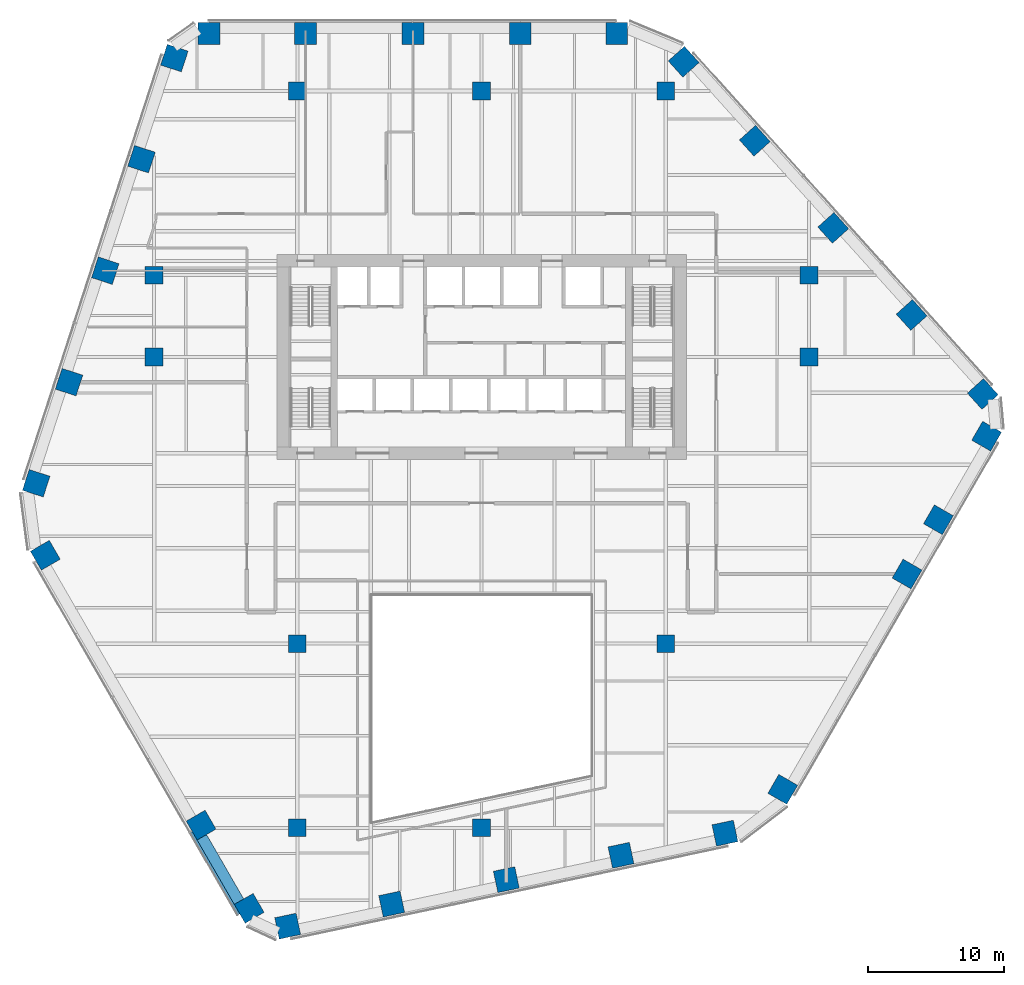
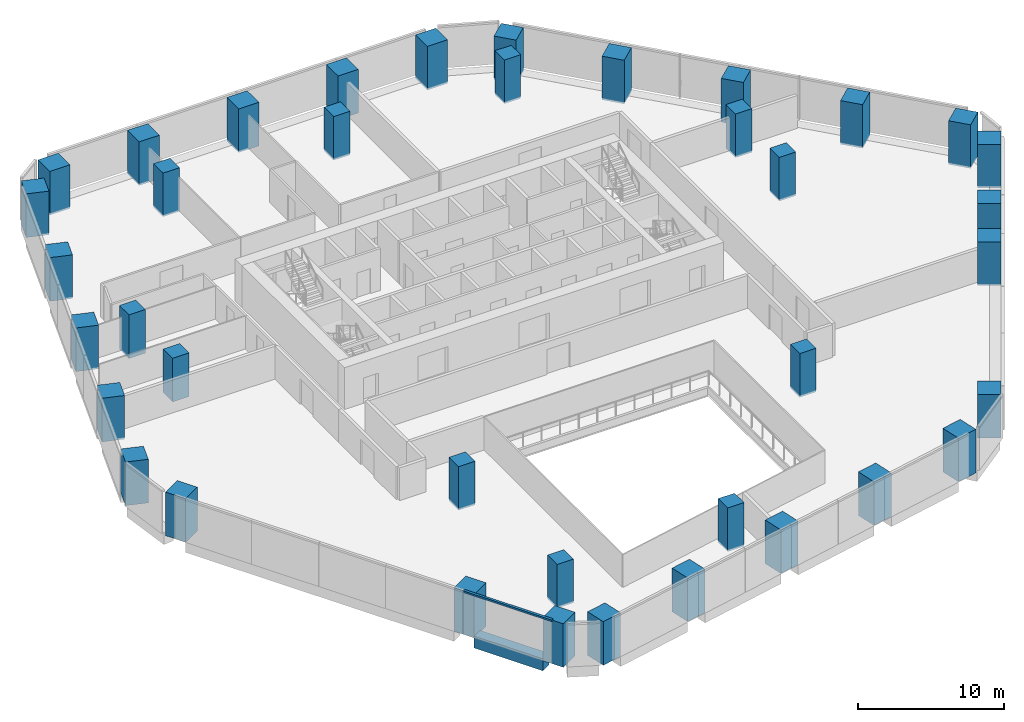
# One storey, part 1 of 19: 38 columns, 1 beam, 1 member, 1 element without a shape of its own.
"""IFC4 building model written with IfcOpenShell, lengths in metres."""

from ifc_helpers import new_model, si_unit, direction, frame, origin, origin_2d, place, context, subcontext, project, spatial, rectangle, extrude, material, layer, layer_set, material_profile, profile_set, type_object, element, aggregate, save


model = new_model("IFC4")

# Units and contexts
model_context = context("Model", 3, precision=1e-05, world=origin(), true_north=direction((0.0, 1.0)))
body_context = subcontext(model_context, "Body", "Model", "MODEL_VIEW")
ifc_project = project(units=[si_unit("LENGTHUNIT", "METRE"), si_unit("AREAUNIT", "SQUARE_METRE"), si_unit("VOLUMEUNIT", "CUBIC_METRE"), si_unit("PLANEANGLEUNIT", "RADIAN"), si_unit("MASSUNIT", "GRAM", prefix="KILO")], contexts=[model_context])

# Site, building, storey
site_placement = place(None, origin())
site = spatial("IfcSite", under=ifc_project, at=site_placement, CompositionType="ELEMENT")
building_placement = place(site_placement, origin())
building = spatial("IfcBuilding", under=site, at=building_placement, Name="Isthmus Gate Tower", CompositionType="ELEMENT")
storey_placement = place(building_placement, frame((0.0, 0.0, 91.60009765625)))
storey = spatial("IfcBuildingStorey", under=building, at=storey_placement, Name="L21", CompositionType="ELEMENT", Elevation=91.60009765625)

# Columns
ifc_material_1 = material(Name="Concrete f'c 70 MPa", Category="concrete")
ifc_material_profile_1 = material_profile(ifc_material_1, rectangle(XDim=1.300048828125, YDim=1.300048828125, at=origin_2d()), Name="RC 1300X1300")
ifc_profile_set_1 = profile_set([ifc_material_profile_1], Name="Concrete f'c 70 MPa")
column_type_1 = type_object("IfcColumnType", Name="RC INTERIOR COLUMN 1300 X 1300", PredefinedType="COLUMN", material=ifc_profile_set_1)
for number, where, z_axis, x_axis, name in (
    (1, (-24.0, 7.5, -0.150146484375), (0.0, 0.0, 1.0), (1.0, 0.0, 0.0), "str-icol-L21-ICA3"),
    (2, (-24.0, 13.5, -0.150146484375), (0.0, 0.0, 1.0), (1.0, 0.0, 0.0), "str-icol-L21-ICA4"),
    (3, (-13.5, -27.0, -0.150146484375), (0.0, 0.0, 1.0), (1.0, 0.0, 0.0), "str-icol-L21-ICB1"),
    (4, (-13.5, -13.5, -0.150146484375), (0.0, 0.0, 1.0), (1.0, 0.0, 0.0), "str-icol-L21-ICB2"),
    (5, (-13.5, 27.0, -0.150146484375), (0.0, 0.0, 1.0), (1.0, 0.0, 0.0), "str-icol-L21-ICB5"),
    (6, (0.0, -27.0, -0.150146484375), (0.0, 0.0, 1.0), (1.0, 0.0, 0.0), "str-icol-L21-ICC1"),
    (7, (0.0, 27.0, -0.150146484375), (0.0, 0.0, 1.0), (1.0, 0.0, 0.0), "str-icol-L21-ICC5"),
    (8, (13.5, -13.5, -0.150146484375), (0.0, 0.0, 1.0), (1.0, 0.0, 0.0), "str-icol-L21-ICD2"),
    (9, (13.5, 27.0, -0.150146484375), (0.0, 0.0, 1.0), (1.0, 0.0, 0.0), "str-icol-L21-ICD5"),
    (10, (24.0, 7.5, -0.150146484375), (0.0, 0.0, 1.0), (1.0, 0.0, 0.0), "str-icol-L21-ICE3"),
    (11, (24.0, 13.5, -0.150146484375), (0.0, 0.0, 1.0), (1.0, 0.0, 0.0), "str-icol-L21-ICE4"),
):
    element("IfcColumn", number, at=place(storey_placement, frame(where, z_axis=z_axis, x_axis=x_axis)), inside=storey, type_object=column_type_1, Name=name, PredefinedType="COLUMN", context=body_context, shape_type="SweptSolid", body=[
        extrude(rectangle(XDim=1.300048828125, YDim=1.300048828125, at=origin_2d()), origin(), (0.0, 0.0, 1.0), 3.650146484375),
    ])
ifc_material_2 = material(Name="Concrete f'c 70 MPa", Category="concrete")
ifc_material_profile_2 = material_profile(ifc_material_2, rectangle(XDim=1.60009765625, YDim=1.60009765625, at=origin_2d()), Name="RC 1600X1600")
ifc_profile_set_2 = profile_set([ifc_material_profile_2], Name="Concrete f'c 70 MPa")
column_type_2 = type_object("IfcColumnType", Name="RC TUBE COLUMN 1600 X 1600", PredefinedType="COLUMN", material=ifc_profile_set_2)
for number, where, z_axis, x_axis, name in (
    (12, (9.90185546875, 31.199951171875, -0.150146484375), (0.0, 0.0, 1.0), (-1.0, 0.0, 0.0), "str-tcol-L21-T1N0"),
    (13, (2.832275390625, 31.199951171875, -0.150146484375), (0.0, 0.0, 1.0), (-1.0, 0.0, 0.0), "str-tcol-L21-T1N1"),
    (14, (-5.037109375, 31.199951171875, -0.150146484375), (0.0, 0.0, 1.0), (-1.0, 0.0, 0.0), "str-tcol-L21-T1N2"),
    (15, (-12.90673828125, 31.199951171875, -0.150146484375), (0.0, 0.0, 1.0), (-1.0, 0.0, 0.0), "str-tcol-L21-T1N3"),
    (16, (-19.976318359375, 31.199951171875, -0.150146484375), (0.0, 0.0, 1.0), (-1.0, 0.0, 0.0), "str-tcol-L21-T1N4"),
    (17, (-22.515380859375, 29.406982421875, -0.150146484375), (0.0, 0.0, 1.0), (-0.309016994375, -0.951056516295, 0.0), "str-tcol-L21-T1NW0"),
    (18, (-24.922607421875, 21.998779296875, -0.150146484375), (0.0, 0.0, 1.0), (-0.309016994375, -0.951056516295, 0.0), "str-tcol-L21-T1NW1"),
    (19, (-27.57666015625, 13.829833984375, -0.150146484375), (0.0, 0.0, 1.0), (-0.309016994375, -0.951056516295, 0.0), "str-tcol-L21-T1NW2"),
    (20, (-30.23095703125, 5.660888671875, -0.150146484375), (0.0, 0.0, 1.0), (-0.309016994375, -0.951056516295, 0.0), "str-tcol-L21-T1NW3"),
    (21, (-32.63818359375, -1.747314453125, -0.150146484375), (0.0, 0.0, 1.0), (-0.309016994375, -0.951056516295, 0.0), "str-tcol-L21-T1NW4"),
    (22, (-31.970947265625, -7.024658203125, -0.150146484375), (0.0, 0.0, 1.0), (0.5, -0.866025403784, 0.0), "str-tcol-L21-T1SW0"),
    (23, (-20.5537109375, -26.800048828125, -0.150146484375), (0.0, 0.0, 1.0), (0.5, -0.866025403784, 0.0), "str-tcol-L21-T1SW2"),
    (24, (-17.031982421875, -32.89990234375, -0.150146484375), (0.0, 0.0, 1.0), (0.5, -0.866025403784, 0.0), "str-tcol-L21-T1SW3"),
    (25, (-14.20947265625, -34.202392578125, -0.150146484375), (0.0, 0.0, 1.0), (0.978147600734, 0.207911690818, 0.0), "str-tcol-L21-T1S0"),
    (26, (-6.59033203125, -32.5830078125, -0.150146484375), (0.0, 0.0, 1.0), (0.978147600734, 0.207911690818, 0.0), "str-tcol-L21-T1S1"),
    (27, (1.811279296875, -30.797119140625, -0.150146484375), (0.0, 0.0, 1.0), (0.978147600734, 0.207911690818, 0.0), "str-tcol-L21-T1S2"),
    (28, (10.213134765625, -29.01123046875, -0.150146484375), (0.0, 0.0, 1.0), (0.978147600734, 0.207911690818, 0.0), "str-tcol-L21-T1S3"),
    (29, (17.832275390625, -27.391845703125, -0.150146484375), (0.0, 0.0, 1.0), (0.978147600734, 0.207911690818, 0.0), "str-tcol-L21-T1S4"),
    (30, (22.069091796875, -24.17529296875, -0.150146484375), (0.0, 0.0, 1.0), (0.5, 0.866025403784, 0.0), "str-tcol-L21-T1SE0"),
    (31, (31.177001953125, -8.39990234375, -0.150146484375), (0.0, 0.0, 1.0), (0.5, 0.866025403784, 0.0), "str-tcol-L21-T1SE1"),
    (32, (33.473388671875, -4.42236328125, -0.150146484375), (0.0, 0.0, 1.0), (0.5, 0.866025403784, 0.0), "str-tcol-L21-T1SE2"),
    (33, (37.008056640625, 1.699951171875, -0.150146484375), (0.0, 0.0, 1.0), (0.5, 0.866025403784, 0.0), "str-tcol-L21-T1SE3"),
    (34, (36.724853515625, 4.79541015625, -0.150146484375), (0.0, 0.0, 1.0), (-0.669130606359, 0.743144825477, 0.0), "str-tcol-L21-T1NE0"),
    (35, (31.5126953125, 10.584228515625, -0.150146484375), (0.0, 0.0, 1.0), (-0.669130606359, 0.743144825477, 0.0), "str-tcol-L21-T1NE1"),
    (36, (25.765380859375, 16.96728515625, -0.150146484375), (0.0, 0.0, 1.0), (-0.669130606359, 0.743144825477, 0.0), "str-tcol-L21-T1NE2"),
    (37, (20.01806640625, 23.350341796875, -0.150146484375), (0.0, 0.0, 1.0), (-0.669130606359, 0.743144825477, 0.0), "str-tcol-L21-T1NE3"),
    (38, (14.805908203125, 29.138916015625, -0.150146484375), (0.0, 0.0, 1.0), (-0.669130606359, 0.743144825477, 0.0), "str-tcol-L21-T1NE4"),
):
    element("IfcColumn", number, at=place(storey_placement, frame(where, z_axis=z_axis, x_axis=x_axis)), inside=storey, type_object=column_type_2, Name=name, PredefinedType="COLUMN", context=body_context, shape_type="SweptSolid", body=[
        extrude(rectangle(XDim=1.60009765625, YDim=1.60009765625, at=origin_2d()), origin(), (0.0, 0.0, 1.0), 3.650146484375),
    ])

# Curtain wall, member
ifc_material_3 = material(Name="Aluminium, pale champagne anodised", Category="aluminium")
ifc_layer = layer(ifc_material_3, 0.199951171875)
ifc_layer_set = layer_set([ifc_layer], Name="CW-1 UNITISED CURTAIN WALL 200 DEEP")
curtain_wall_type = type_object("IfcCurtainWallType", Name="CW-1 UNITISED CURTAIN WALL 200 DEEP", PredefinedType="NOTDEFINED", material=ifc_layer_set)
curtain_wall_placement = place(storey_placement, origin())
curtain_wall = element("IfcCurtainWall", 39, at=curtain_wall_placement, inside=storey, type_object=curtain_wall_type, Name="CW-1 SW L21", PredefinedType="NOTDEFINED")
ifc_material_4 = material(Name="Aluminium, pale champagne anodised", Category="aluminium")
ifc_material_profile_3 = material_profile(ifc_material_4, rectangle(XDim=0.199951171875, YDim=0.14990234375, at=origin_2d()), Name="200x150")
ifc_profile_set_3 = profile_set([ifc_material_profile_3], Name="Aluminium, pale champagne anodised")
member_type = type_object("IfcMemberType", Name="CW-1 TRANSOM 200 X 150", PredefinedType="USERDEFINED", material=ifc_profile_set_3)
member_placement = place(storey_placement, frame((-21.302978515625, -27.302001953125, 3.574951171875), z_axis=(0.499996830835, -0.866027233495, 0.0), x_axis=(0.866027233495, 0.499996830835, 0.0)))
member = element("IfcMember", 40, at=member_placement, type_object=member_type, Name="CW-1 transom", ObjectType="TRANSOM", PredefinedType="USERDEFINED", context=body_context, shape_type="SweptSolid", body=[
    extrude(rectangle(XDim=0.199951171875, YDim=0.14990234375, at=origin_2d()), origin(), (0.0, 0.0, 1.0), 6.9833984375),
])
aggregate(curtain_wall, [member])

# Beam
ifc_material_5 = material(Name="Concrete f'c 70 MPa", Category="concrete")
ifc_material_profile_4 = material_profile(ifc_material_5, rectangle(XDim=0.800048828125, YDim=1.0, at=origin_2d()), Name="RC 800X1000")
ifc_profile_set_4 = profile_set([ifc_material_profile_4], Name="Concrete f'c 70 MPa")
beam_type = type_object("IfcBeamType", Name="RC SPANDREL 800 X 1000", PredefinedType="SPANDREL", material=ifc_profile_set_4)
beam_placement = place(storey_placement, frame((-17.7783203125, -32.406982421875, -0.5), z_axis=(-0.499998104561, 0.866026498114, 0.0), x_axis=(-0.866026498114, -0.499998104561, 0.0)))
element("IfcBeam", 41, at=beam_placement, inside=storey, type_object=beam_type, Name="str-spandrel-L21-15", PredefinedType="SPANDREL", context=body_context, shape_type="SweptSolid", body=[
    extrude(rectangle(XDim=0.800048828125, YDim=1.0, at=origin_2d()), origin(), (0.0, 0.0, 1.0), 5.443359375),
])

save(model, "model.ifc")
